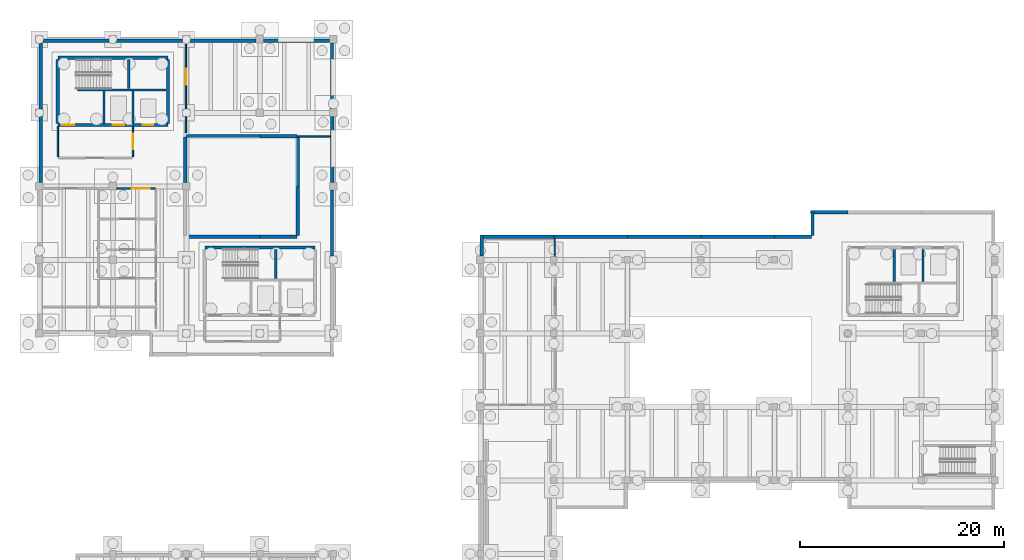
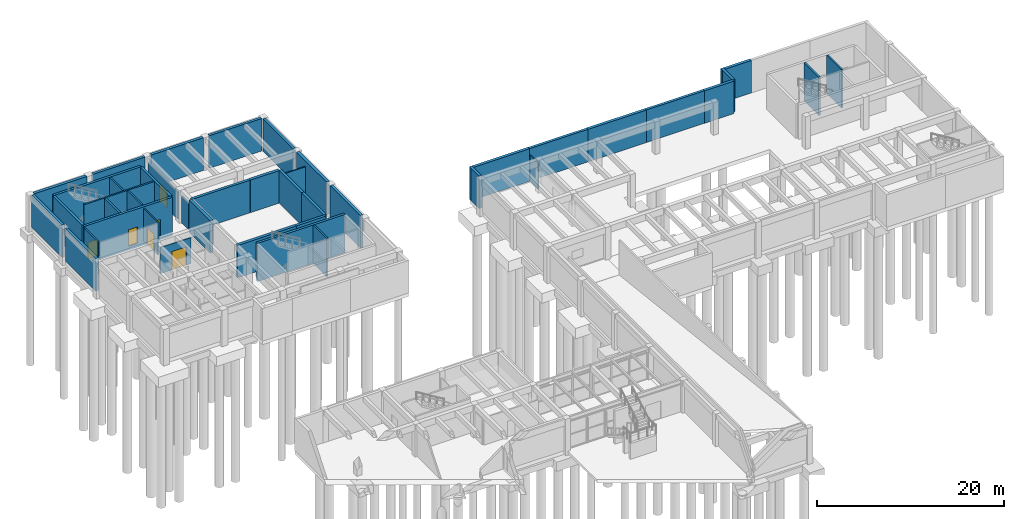
# One storey, part 20 of 28: 43 walls, 6 doors, 6 openings.
"""IFC4 building model written with IfcOpenShell, lengths in metres."""

from ifc_helpers import new_model, si_unit, direction, frame, frame_2d, origin, place, context, subcontext, project, spatial, rectangle, extrude, material, layer, layer_set, type_object, element, fill, save


model = new_model("IFC4")

# Units and contexts
model_context = context("Model", 3, precision=1e-05, world=origin(), true_north=direction((0.0, 1.0)))
body_context = subcontext(model_context, "Body", "Model", "MODEL_VIEW")
ifc_project = project(units=[si_unit("LENGTHUNIT", "METRE"), si_unit("AREAUNIT", "SQUARE_METRE"), si_unit("VOLUMEUNIT", "CUBIC_METRE"), si_unit("PLANEANGLEUNIT", "RADIAN"), si_unit("MASSUNIT", "GRAM", prefix="KILO")], contexts=[model_context])

# Site, building, storey
site_placement = place(None, origin())
site = spatial("IfcSite", under=ifc_project, at=site_placement, CompositionType="ELEMENT")
building_placement = place(site_placement, origin())
building = spatial("IfcBuilding", under=site, at=building_placement, Name="Bramvelor Terrace Health Centre", CompositionType="ELEMENT")
storey_placement = place(building_placement, frame((0.0, 0.0, -4.5)))
storey = spatial("IfcBuildingStorey", under=building, at=storey_placement, Name="B1", CompositionType="ELEMENT", Elevation=-4.5)

# Walls
ifc_material_1 = material(Name="Fire-rated gypsum and mineral wool", Category="gypsum")
ifc_layer_1 = layer(ifc_material_1, 0.139892578125)
ifc_layer_set_1 = layer_set([ifc_layer_1], Name="Fire-rated gypsum and mineral wool")
wall_type_1 = type_object("IfcWallType", Name="WL-COR-140", PredefinedType="PARTITIONING", material=ifc_layer_set_1)
wall_1_placement = place(storey_placement, frame((50.489990234375, 95.68994140625, 0.0), z_axis=(0.0, 0.0, 1.0), x_axis=(0.0, -1.0, 0.0)))
element("IfcWall", 1, at=wall_1_placement, inside=storey, type_object=wall_type_1, Name="B1 Interior Partition 42", PredefinedType="PARTITIONING", context=body_context, shape_type="SweptSolid", body=[
    extrude(rectangle(XDim=1.75, YDim=0.139892578125, at=frame_2d((0.875, 0.0))), origin(), (0.0, 0.0, 1.0), 3.39990234375),
])
ifc_material_2 = material(Name="Concrete C40/50", Category="concrete")
ifc_layer_2 = layer(ifc_material_2, 0.199951171875)
ifc_layer_set_2 = layer_set([ifc_layer_2], Name="Concrete C40/50")
wall_type_2 = type_object("IfcWallType", Name="WL-CORE-200", PredefinedType="SHEAR", material=ifc_layer_set_2)
wall_2_placement = place(storey_placement, frame((3.75, 110.25, -0.5), z_axis=(0.0, 0.0, 1.0), x_axis=(1.0, 0.0, 0.0)))
element("IfcWall", 2, at=wall_2_placement, inside=storey, type_object=wall_type_2, Name="C1 B1 Core Shear Wall", PredefinedType="SHEAR", context=body_context, shape_type="SweptSolid", body=[
    extrude(rectangle(XDim=8.669921875, YDim=0.199951171875, at=frame_2d((4.3349609375, 0.0))), origin(), (0.0, 0.0, 1.0), 5.0),
])
wall_3_placement = place(storey_placement, frame((8.7548828125, 110.3701171875, -0.5), z_axis=(0.0, 0.0, 1.0), x_axis=(0.0, 1.0, 0.0)))
element("IfcWall", 3, at=wall_3_placement, inside=storey, type_object=wall_type_2, Name="C1 B1 Core Shear Wall", PredefinedType="SHEAR", context=body_context, shape_type="SweptSolid", body=[
    extrude(rectangle(XDim=2.849853515625, YDim=0.199951171875, at=frame_2d((1.4248046875, 0.0))), origin(), (0.0, 0.0, 1.0), 5.0),
])
for number, where, z_axis, x_axis, name in (
    (4, (6.35009765625, 106.97998046875, -0.5), (0.0, 0.0, 1.0), (0.0, 1.0, 0.0), "C1 B1 Core Shear Wall"),
    (5, (9.14990234375, 106.97998046875, -0.5), (0.0, 0.0, 1.0), (0.0, 1.0, 0.0), "C1 B1 Lift Divider Wall"),
):
    element("IfcWall", number, at=place(storey_placement, frame(where, z_axis=z_axis, x_axis=x_axis)), inside=storey, type_object=wall_type_2, Name=name, PredefinedType="SHEAR", context=body_context, shape_type="SweptSolid", body=[
        extrude(rectangle(XDim=3.14990234375, YDim=0.199951171875, at=frame_2d((1.574951171875, 0.0))), origin(), (0.0, 0.0, 1.0), 5.0),
    ])
wall_4_placement = place(storey_placement, frame((23.155029296875, 91.77001953125, -0.5), z_axis=(0.0, 0.0, 1.0), x_axis=(0.0, 1.0, 0.0)))
element("IfcWall", 6, at=wall_4_placement, inside=storey, type_object=wall_type_2, Name="C2 B1 Core Shear Wall", PredefinedType="SHEAR", context=body_context, shape_type="SweptSolid", body=[
    extrude(rectangle(XDim=2.85009765625, YDim=0.199951171875, at=frame_2d((1.425048828125, 0.0))), origin(), (0.0, 0.0, 1.0), 5.0),
])
for number, where, z_axis, x_axis, name in (
    (7, (83.75, 91.469970703125, -0.5), (0.0, 0.0, 1.0), (0.0, 1.0, 0.0), "C4 B1 Core Shear Wall"),
    (8, (86.550048828125, 91.469970703125, -0.5), (0.0, 0.0, 1.0), (0.0, 1.0, 0.0), "C4 B1 Lift Divider Wall"),
):
    element("IfcWall", number, at=place(storey_placement, frame(where, z_axis=z_axis, x_axis=x_axis)), inside=storey, type_object=wall_type_2, Name=name, PredefinedType="SHEAR", context=body_context, shape_type="SweptSolid", body=[
        extrude(rectangle(XDim=3.150146484375, YDim=0.199951171875, at=frame_2d((1.5751953125, 0.0))), origin(), (0.0, 0.0, 1.0), 5.0),
    ])

# Wall, openings, doors
ifc_material_3 = material(Name="Concrete C40/50", Category="concrete")
ifc_layer_3 = layer(ifc_material_3, 0.300048828125)
ifc_layer_set_3 = layer_set([ifc_layer_3], Name="Concrete C40/50")
wall_type_3 = type_object("IfcWallType", Name="WL-CORE-300", PredefinedType="SHEAR", material=ifc_layer_set_3)
wall_5_placement = place(storey_placement, frame((1.800048828125, 106.800048828125, -0.5), z_axis=(0.0, 0.0, 1.0), x_axis=(1.0, 0.0, 0.0)))
wall_5 = element("IfcWall", 9, at=wall_5_placement, inside=storey, type_object=wall_type_3, Name="C1 B1 Core Shear Wall", PredefinedType="SHEAR", context=body_context, shape_type="SweptSolid", body=[
    extrude(rectangle(XDim=10.800048828125, YDim=0.300048828125, at=frame_2d((5.39990234375, 0.0))), origin(), (0.0, 0.0, 1.0), 5.0),
])
opening_1_placement = place(wall_5_placement, frame((0.449951171875, 0.0, 0.5)))
opening_1 = element("IfcOpeningElement", 10, at=opening_1_placement, cuts=wall_5, Name="Opening FD-02", PredefinedType="OPENING", context=body_context, shape_type="SweptSolid", body=[
    extrude(rectangle(XDim=1.179931640625, YDim=2.159912109375, at=frame_2d((0.58984375, 1.080078125))), frame((0.0, 0.159912109375, 0.0), z_axis=(0.0, -1.0, 0.0), x_axis=(1.0, 0.0, 0.0)), (0.0, 0.0, 1.0), 0.320068359375),
])
opening_2_placement = place(wall_5_placement, frame((5.375, 0.0, 0.5)))
opening_2 = element("IfcOpeningElement", 11, at=opening_2_placement, cuts=wall_5, Name="Opening LD-1", PredefinedType="OPENING", context=body_context, shape_type="SweptSolid", body=[
    extrude(rectangle(XDim=1.14990234375, YDim=2.14990234375, at=frame_2d((0.574951171875, 1.074951171875))), frame((0.0, 0.159912109375, 0.0), z_axis=(0.0, -1.0, 0.0), x_axis=(1.0, 0.0, 0.0)), (0.0, 0.0, 1.0), 0.320068359375),
])
opening_3_placement = place(wall_5_placement, frame((8.340087890625, 0.0, 0.5)))
opening_3 = element("IfcOpeningElement", 12, at=opening_3_placement, cuts=wall_5, Name="Opening LD-2", PredefinedType="OPENING", context=body_context, shape_type="SweptSolid", body=[
    extrude(rectangle(XDim=1.02001953125, YDim=2.1201171875, at=frame_2d((0.510009765625, 1.06005859375))), frame((0.0, 0.159912109375, 0.0), z_axis=(0.0, -1.0, 0.0), x_axis=(1.0, 0.0, 0.0)), (0.0, 0.0, 1.0), 0.320068359375),
])
ifc_material_4 = material(Name="Fire-rated steel and vision panel", Category="steel")
door_type_1 = type_object("IfcDoorType", Name="DR-FD90-118", OperationType="NOTDEFINED", PredefinedType="DOOR", material=ifc_material_4)
door_1_placement = place(opening_1_placement, origin())
door_1 = element("IfcDoor", 13, at=door_1_placement, inside=storey, type_object=door_type_1, Name="C1 B1 Core Stair Fire Door", OperationType="SINGLE_SWING_LEFT", OverallHeight=2.159912109375, OverallWidth=1.179931640625, PredefinedType="DOOR", context=body_context, shape_type="SweptSolid", body=[
    extrude(rectangle(XDim=1.179931640625, YDim=2.159912109375, at=frame_2d((0.58984375, 1.080078125))), frame((0.0, 0.02490234375, 0.0), z_axis=(0.0, -1.0, 0.0), x_axis=(1.0, 0.0, 0.0)), (0.0, 0.0, 1.0), 0.050048828125),
])
fill(opening_1, door_1)
ifc_material_5 = material(Name="Brushed stainless steel 316", Category="steel")
door_type_2 = type_object("IfcDoorType", Name="DR-LIFT-FF115", OperationType="DOUBLE_DOOR_SLIDING", PredefinedType="DOOR", material=ifc_material_5)
door_2_placement = place(opening_2_placement, origin())
door_2 = element("IfcDoor", 14, at=door_2_placement, inside=storey, type_object=door_type_2, Name="Lift LF-01 B1 Sliding Landing Door", OperationType="DOUBLE_DOOR_SLIDING", OverallHeight=2.14990234375, OverallWidth=1.14990234375, PredefinedType="DOOR", context=body_context, shape_type="SweptSolid", body=[
    extrude(rectangle(XDim=1.14990234375, YDim=2.14990234375, at=frame_2d((0.574951171875, 1.074951171875))), frame((0.0, 0.02490234375, 0.0), z_axis=(0.0, -1.0, 0.0), x_axis=(1.0, 0.0, 0.0)), (0.0, 0.0, 1.0), 0.050048828125),
])
fill(opening_2, door_2)
ifc_material_6 = material(Name="Brushed stainless steel 316", Category="steel")
door_type_3 = type_object("IfcDoorType", Name="DR-LIFT-PS102", OperationType="SLIDING_TO_LEFT", PredefinedType="DOOR", material=ifc_material_6)
door_3_placement = place(opening_3_placement, origin())
door_3 = element("IfcDoor", 15, at=door_3_placement, inside=storey, type_object=door_type_3, Name="Lift LP-01 B1 Sliding Landing Door", OperationType="SLIDING_TO_LEFT", OverallHeight=2.1201171875, OverallWidth=1.02001953125, PredefinedType="DOOR", context=body_context, shape_type="SweptSolid", body=[
    extrude(rectangle(XDim=1.02001953125, YDim=2.1201171875, at=frame_2d((0.510009765625, 1.06005859375))), frame((0.0, 0.02490234375, 0.0), z_axis=(0.0, -1.0, 0.0), x_axis=(1.0, 0.0, 0.0)), (0.0, 0.0, 1.0), 0.050048828125),
])
fill(opening_3, door_3)

# Walls
wall_6_placement = place(storey_placement, frame((1.800048828125, 113.39990234375, -0.5), z_axis=(0.0, 0.0, 1.0), x_axis=(1.0, 0.0, 0.0)))
element("IfcWall", 16, at=wall_6_placement, inside=storey, type_object=wall_type_3, Name="C1 B1 Core Shear Wall", PredefinedType="SHEAR", context=body_context, shape_type="SweptSolid", body=[
    extrude(rectangle(XDim=10.800048828125, YDim=0.300048828125, at=frame_2d((5.39990234375, 0.0))), origin(), (0.0, 0.0, 1.0), 5.0),
])
for number, where, z_axis, x_axis, name in (
    (17, (1.800048828125, 106.97998046875, -0.5), (0.0, 0.0, 1.0), (0.0, 1.0, 0.0), "C1 B1 Core Shear Wall"),
    (18, (12.60009765625, 106.97998046875, -0.5), (0.0, 0.0, 1.0), (0.0, 1.0, 0.0), "C1 B1 Core Shear Wall"),
):
    element("IfcWall", number, at=place(storey_placement, frame(where, z_axis=z_axis, x_axis=x_axis)), inside=storey, type_object=wall_type_3, Name=name, PredefinedType="SHEAR", context=body_context, shape_type="SweptSolid", body=[
        extrude(rectangle(XDim=6.239990234375, YDim=0.300048828125, at=frame_2d((3.1201171875, 0.0))), origin(), (0.0, 0.0, 1.0), 5.0),
    ])
wall_7_placement = place(storey_placement, frame((16.199951171875, 94.800048828125, -0.5), z_axis=(0.0, 0.0, 1.0), x_axis=(1.0, 0.0, 0.0)))
element("IfcWall", 19, at=wall_7_placement, inside=storey, type_object=wall_type_3, Name="C2 B1 Core Shear Wall", PredefinedType="SHEAR", context=body_context, shape_type="SweptSolid", body=[
    extrude(rectangle(XDim=10.800048828125, YDim=0.300048828125, at=frame_2d((5.39990234375, 0.0))), origin(), (0.0, 0.0, 1.0), 5.0),
])
ifc_material_7 = material(Name="Fire-rated gypsum and mineral wool", Category="gypsum")
ifc_layer_4 = layer(ifc_material_7, 0.14990234375)
ifc_layer_set_4 = layer_set([ifc_layer_4], Name="Fire-rated gypsum and mineral wool")
wall_type_4 = type_object("IfcWallType", Name="WL-FIR-150", PredefinedType="PARTITIONING", material=ifc_layer_set_4)
wall_8_placement = place(storey_placement, frame((1.800048828125, 103.68994140625, 0.0), z_axis=(0.0, 0.0, 1.0), x_axis=(0.0, 1.0, 0.0)))
element("IfcWall", 20, at=wall_8_placement, inside=storey, type_object=wall_type_4, Name="B1 Interior Partition 1", PredefinedType="PARTITIONING", context=body_context, shape_type="SweptSolid", body=[
    extrude(rectangle(XDim=3.01513671875, YDim=0.14990234375, at=frame_2d((1.507568359375, 0.0))), origin(), (0.0, 0.0, 1.0), 4.27001953125),
])

# Wall, opening, door
wall_9_placement = place(storey_placement, frame((9.14990234375, 106.705078125, 0.0), z_axis=(0.0, 0.0, 1.0), x_axis=(0.0, -1.0, 0.0)))
wall_9 = element("IfcWall", 21, at=wall_9_placement, inside=storey, type_object=wall_type_4, Name="B1 Interior Partition 2", PredefinedType="PARTITIONING", context=body_context, shape_type="SweptSolid", body=[
    extrude(rectangle(XDim=3.01513671875, YDim=0.14990234375, at=frame_2d((1.507568359375, 0.0))), origin(), (0.0, 0.0, 1.0), 4.27001953125),
])
opening_4_placement = place(wall_9_placement, frame((0.7275390625, 0.0, 0.0)))
opening_4 = element("IfcOpeningElement", 22, at=opening_4_placement, cuts=wall_9, Name="Opening FD-03", PredefinedType="OPENING", context=body_context, shape_type="SweptSolid", body=[
    extrude(rectangle(XDim=1.56005859375, YDim=2.219970703125, at=frame_2d((0.780029296875, 1.10986328125))), frame((0.0, 0.0849609375, 0.0), z_axis=(0.0, -1.0, 0.0), x_axis=(1.0, 0.0, 0.0)), (0.0, 0.0, 1.0), 0.169921875),
])
ifc_material_8 = material(Name="Fire-rated steel and vision panel", Category="steel")
door_type_4 = type_object("IfcDoorType", Name="DR-FD90-156", OperationType="DOUBLE_DOOR_SINGLE_SWING", PredefinedType="DOOR", material=ifc_material_8)
door_4_placement = place(opening_4_placement, origin())
door_4 = element("IfcDoor", 23, at=door_4_placement, inside=storey, type_object=door_type_4, Name="B1 Fire Compartment Lobby Door 1", OperationType="DOUBLE_DOOR_SINGLE_SWING", OverallHeight=2.219970703125, OverallWidth=1.56005859375, PredefinedType="DOOR", context=body_context, shape_type="SweptSolid", body=[
    extrude(rectangle(XDim=1.56005859375, YDim=2.219970703125, at=frame_2d((0.780029296875, 1.10986328125))), frame((0.0, 0.02490234375, 0.0), z_axis=(0.0, -1.0, 0.0), x_axis=(1.0, 0.0, 0.0)), (0.0, 0.0, 1.0), 0.050048828125),
])
fill(opening_4, door_4)

# Walls
wall_10_placement = place(storey_placement, frame((28.485107421875, 105.699951171875, 0.0), z_axis=(0.0, 0.0, 1.0), x_axis=(-1.0, 0.0, 0.0)))
element("IfcWall", 24, at=wall_10_placement, inside=storey, type_object=wall_type_4, Name="B1 Interior Partition 24", PredefinedType="PARTITIONING", context=body_context, shape_type="SweptSolid", body=[
    extrude(rectangle(XDim=3.2294921875, YDim=0.14990234375, at=frame_2d((1.61474609375, 0.0))), origin(), (0.0, 0.0, 1.0), 3.550048828125),
])
wall_11_placement = place(storey_placement, frame((14.35205078125, 106.04638671875, 0.0), z_axis=(0.0, 0.0, 1.0), x_axis=(-0.000312256035, 0.999999951248, 0.0)))
element("IfcWall", 25, at=wall_11_placement, inside=storey, type_object=wall_type_4, Name="B1 Interior Partition 25", PredefinedType="PARTITIONING", context=body_context, shape_type="SweptSolid", body=[
    extrude(rectangle(XDim=1.563720703125, YDim=0.14990234375, at=frame_2d((0.78173828125, 0.0))), origin(), (0.0, 0.0, 1.0), 3.550048828125),
])

# Wall, opening, door
wall_12_placement = place(storey_placement, frame((14.351318359375, 108.389892578125, 0.0), z_axis=(0.0, 0.0, 1.0), x_axis=(-0.000193147136, 0.999999981347, 0.0)))
wall_12 = element("IfcWall", 26, at=wall_12_placement, inside=storey, type_object=wall_type_4, Name="B1 Interior Partition 26", PredefinedType="PARTITIONING", context=body_context, shape_type="SweptSolid", body=[
    extrude(rectangle(XDim=6.320068359375, YDim=0.14990234375, at=frame_2d((3.16015625, 0.0))), origin(), (0.0, 0.0, 1.0), 3.550048828125),
])
opening_5_placement = place(wall_12_placement, frame((2.3798828125, 0.0, 0.0)))
opening_5 = element("IfcOpeningElement", 27, at=opening_5_placement, cuts=wall_12, Name="Opening FD-03", PredefinedType="OPENING", context=body_context, shape_type="SweptSolid", body=[
    extrude(rectangle(XDim=1.56005859375, YDim=2.219970703125, at=frame_2d((0.780029296875, 1.10986328125))), frame((0.0, 0.0849609375, 0.0), z_axis=(0.0, -1.0, 0.0), x_axis=(1.0, 0.0, 0.0)), (0.0, 0.0, 1.0), 0.169921875),
])
door_5_placement = place(opening_5_placement, origin())
door_5 = element("IfcDoor", 28, at=door_5_placement, inside=storey, type_object=door_type_4, Name="B1 Main Low-Voltage Switchroom Fire Door", OperationType="DOUBLE_DOOR_SINGLE_SWING", OverallHeight=2.219970703125, OverallWidth=1.56005859375, PredefinedType="DOOR", context=body_context, shape_type="SweptSolid", body=[
    extrude(rectangle(XDim=1.56005859375, YDim=2.219970703125, at=frame_2d((0.780029296875, 1.10986328125))), frame((0.0, 0.02490234375, 0.0), z_axis=(0.0, -1.0, 0.0), x_axis=(1.0, 0.0, 0.0)), (0.0, 0.0, 1.0), 0.050048828125),
])
fill(opening_5, door_5)

ifc_material_9 = material(Name="Moisture-resistant service chase board", Category="gypsum")
ifc_layer_5 = layer(ifc_material_9, 0.159912109375)
ifc_layer_set_5 = layer_set([ifc_layer_5], Name="Moisture-resistant service chase board")
wall_type_5 = type_object("IfcWallType", Name="WL-PLM-160", PredefinedType="PLUMBINGWALL", material=ifc_layer_set_5)
wall_13_placement = place(storey_placement, frame((7.590087890625, 100.597900390625, 0.0), z_axis=(0.0, 0.0, 1.0), x_axis=(1.0, 0.0, 0.0)))
wall_13 = element("IfcWall", 29, at=wall_13_placement, inside=storey, type_object=wall_type_5, Name="B1 Interior Partition 8", PredefinedType="PLUMBINGWALL", context=body_context, shape_type="SweptSolid", body=[
    extrude(rectangle(XDim=3.760009765625, YDim=0.159912109375, at=frame_2d((1.8798828125, 0.0))), origin(), (0.0, 0.0, 1.0), 3.39990234375),
])
opening_6_placement = place(wall_13_placement, frame((1.449951171875, 0.0, 0.0)))
opening_6 = element("IfcOpeningElement", 30, at=opening_6_placement, cuts=wall_13, Name="Opening ID-OR1", PredefinedType="OPENING", context=body_context, shape_type="SweptSolid", body=[
    extrude(rectangle(XDim=1.760009765625, YDim=2.3798828125, at=frame_2d((0.8798828125, 1.18994140625))), frame((0.0, 0.08984375, 0.0), z_axis=(0.0, -1.0, 0.0), x_axis=(1.0, 0.0, 0.0)), (0.0, 0.0, 1.0), 0.179931640625),
])
ifc_material_10 = material(Name="Solid-core acoustic timber laminate", Category="wood")
door_type_5 = type_object("IfcDoorType", Name="DR-OR-SLD176", OperationType="DOUBLE_DOOR_SLIDING", PredefinedType="DOOR", material=ifc_material_10)
door_6_placement = place(opening_6_placement, origin())
door_6 = element("IfcDoor", 31, at=door_6_placement, inside=storey, type_object=door_type_5, Name="B1 Accessible Male WC Clinical Door", OperationType="DOUBLE_DOOR_SLIDING", OverallHeight=2.3798828125, OverallWidth=1.760009765625, PredefinedType="DOOR", context=body_context, shape_type="SweptSolid", body=[
    extrude(rectangle(XDim=1.760009765625, YDim=2.3798828125, at=frame_2d((0.8798828125, 1.18994140625))), frame((0.0, 0.02490234375, 0.0), z_axis=(0.0, -1.0, 0.0), x_axis=(1.0, 0.0, 0.0)), (0.0, 0.0, 1.0), 0.050048828125),
])
fill(opening_6, door_6)

# Walls
ifc_material_11 = material(Name="Concrete C40/50", Category="concrete")
ifc_layer_6 = layer(ifc_material_11, 0.320068359375)
ifc_layer_set_6 = layer_set([ifc_layer_6], Name="Concrete C40/50")
wall_type_6 = type_object("IfcWallType", Name="WL-RET-320", PredefinedType="SOLIDWALL", material=ifc_layer_set_6)
wall_14_placement = place(storey_placement, frame((43.330078125, 93.969970703125, 0.0), z_axis=(0.0, 0.0, 1.0), x_axis=(0.0, 1.0, 0.0)))
element("IfcWall", 32, at=wall_14_placement, inside=storey, type_object=wall_type_6, Name="B1 Perimeter Basement Retaining Wall 13", PredefinedType="SOLIDWALL", context=body_context, shape_type="SweptSolid", body=[
    extrude(rectangle(XDim=2.050048828125, YDim=0.320068359375, at=frame_2d((1.02490234375, 0.0))), origin(), (0.0, 0.0, 1.0), 4.25),
])
wall_15_placement = place(storey_placement, frame((50.39990234375, 95.8701171875, 0.0), z_axis=(0.0, 0.0, 1.0), x_axis=(1.0, 0.0, 0.0)))
element("IfcWall", 33, at=wall_15_placement, inside=storey, type_object=wall_type_6, Name="B1 Perimeter Basement Retaining Wall 15", PredefinedType="SOLIDWALL", context=body_context, shape_type="SweptSolid", body=[
    extrude(rectangle(XDim=7.2001953125, YDim=0.320068359375, at=frame_2d((3.60009765625, 0.0))), origin(), (0.0, 0.0, 1.0), 4.25),
])
wall_16_placement = place(storey_placement, frame((64.800048828125, 95.8701171875, 0.0), z_axis=(0.0, 0.0, 1.0), x_axis=(1.0, 0.0, 0.0)))
element("IfcWall", 34, at=wall_16_placement, inside=storey, type_object=wall_type_6, Name="B1 Perimeter Basement Retaining Wall 17", PredefinedType="SOLIDWALL", context=body_context, shape_type="SweptSolid", body=[
    extrude(rectangle(XDim=7.199951171875, YDim=0.320068359375, at=frame_2d((3.60009765625, 0.0))), origin(), (0.0, 0.0, 1.0), 4.25),
])
wall_17_placement = place(storey_placement, frame((75.72998046875, 95.97998046875, 0.0), z_axis=(0.0, 0.0, 1.0), x_axis=(0.0, 1.0, 0.0)))
element("IfcWall", 35, at=wall_17_placement, inside=storey, type_object=wall_type_6, Name="B1 Perimeter Basement Retaining Wall 19", PredefinedType="SOLIDWALL", context=body_context, shape_type="SweptSolid", body=[
    extrude(rectangle(XDim=2.43994140625, YDim=0.320068359375, at=frame_2d((1.219970703125, 0.0))), origin(), (0.0, 0.0, 1.0), 4.25),
])
for number, where, z_axis, x_axis, name in (
    (36, (28.669921875, 114.830078125, 0.0), (0.0, 0.0, 1.0), (0.0, -1.0, 0.0), "B1 Perimeter Basement Retaining Wall 53"),
    (37, (28.669921875, 100.429931640625, 0.0), (0.0, 0.0, 1.0), (0.0, -1.0, 0.0), "B1 Perimeter Basement Retaining Wall 55"),
    (38, (0.1298828125, 108.3701171875, 0.0), (0.0, 0.0, 1.0), (0.0, 1.0, 0.0), "B1 Perimeter Basement Retaining Wall 67"),
    (39, (7.570068359375, 115.070068359375, 0.0), (0.0, 0.0, 1.0), (1.0, 0.0, 0.0), "B1 Perimeter Basement Retaining Wall 69"),
    (40, (21.969970703125, 115.070068359375, 0.0), (0.0, 0.0, 1.0), (1.0, 0.0, 0.0), "B1 Perimeter Basement Retaining Wall 71"),
):
    element("IfcWall", number, at=place(storey_placement, frame(where, z_axis=z_axis, x_axis=x_axis)), inside=storey, type_object=wall_type_6, Name=name, PredefinedType="SOLIDWALL", context=body_context, shape_type="SweptSolid", body=[
        extrude(rectangle(XDim=6.4599609375, YDim=0.320068359375, at=frame_2d((3.22998046875, 0.0))), origin(), (0.0, 0.0, 1.0), 4.25),
    ])
wall_18_placement = place(storey_placement, frame((21.60009765625, 105.72998046875, 0.0), z_axis=(0.0, 0.0, 1.0), x_axis=(-1.0, 0.0, 0.0)))
element("IfcWall", 41, at=wall_18_placement, inside=storey, type_object=wall_type_6, Name="B1 Perimeter Basement Retaining Wall 73", PredefinedType="SOLIDWALL", context=body_context, shape_type="SweptSolid", body=[
    extrude(rectangle(XDim=7.239990234375, YDim=0.320068359375, at=frame_2d((3.6201171875, 0.0))), origin(), (0.0, 0.0, 1.0), 4.25),
])
wall_19_placement = place(storey_placement, frame((21.60009765625, 95.8701171875, 0.0), z_axis=(0.0, 0.0, 1.0), x_axis=(1.0, 0.0, 0.0)))
element("IfcWall", 42, at=wall_19_placement, inside=storey, type_object=wall_type_6, Name="B1 Perimeter Basement Retaining Wall 77", PredefinedType="SOLIDWALL", context=body_context, shape_type="SweptSolid", body=[
    extrude(rectangle(XDim=3.639892578125, YDim=0.320068359375, at=frame_2d((1.81982421875, 0.0))), origin(), (0.0, 0.0, 1.0), 4.25),
])
wall_20_placement = place(storey_placement, frame((25.330078125, 100.800048828125, 0.0), z_axis=(0.0, 0.0, 1.0), x_axis=(0.0, 1.0, 0.0)))
element("IfcWall", 43, at=wall_20_placement, inside=storey, type_object=wall_type_6, Name="B1 Perimeter Basement Retaining Wall 79", PredefinedType="SOLIDWALL", context=body_context, shape_type="SweptSolid", body=[
    extrude(rectangle(XDim=4.820068359375, YDim=0.320068359375, at=frame_2d((2.41015625, 0.0))), origin(), (0.0, 0.0, 1.0), 4.25),
])
ifc_material_12 = material(Name="Concrete C40/50", Category="concrete")
ifc_layer_7 = layer(ifc_material_12, 0.35009765625)
ifc_layer_set_7 = layer_set([ifc_layer_7], Name="Concrete C40/50")
wall_type_7 = type_object("IfcWallType", Name="WL-RET-350", PredefinedType="SOLIDWALL", material=ifc_layer_set_7)
wall_21_placement = place(storey_placement, frame((43.159912109375, 95.8701171875, 0.0), z_axis=(0.0, 0.0, 1.0), x_axis=(1.0, 0.0, 0.0)))
element("IfcWall", 44, at=wall_21_placement, inside=storey, type_object=wall_type_7, Name="B1 Perimeter Basement Retaining Wall 14", PredefinedType="SOLIDWALL", context=body_context, shape_type="SweptSolid", body=[
    extrude(rectangle(XDim=7.239990234375, YDim=0.35009765625, at=frame_2d((3.6201171875, 0.0))), origin(), (0.0, 0.0, 1.0), 4.25),
])
wall_22_placement = place(storey_placement, frame((57.60009765625, 95.8701171875, 0.0), z_axis=(0.0, 0.0, 1.0), x_axis=(1.0, 0.0, 0.0)))
element("IfcWall", 45, at=wall_22_placement, inside=storey, type_object=wall_type_7, Name="B1 Perimeter Basement Retaining Wall 16", PredefinedType="SOLIDWALL", context=body_context, shape_type="SweptSolid", body=[
    extrude(rectangle(XDim=7.199951171875, YDim=0.35009765625, at=frame_2d((3.60009765625, 0.0))), origin(), (0.0, 0.0, 1.0), 4.25),
])
for number, where, z_axis, x_axis, name in (
    (46, (72.0, 95.8701171875, 0.0), (0.0, 0.0, 1.0), (1.0, 0.0, 0.0), "B1 Perimeter Basement Retaining Wall 18"),
    (47, (75.56005859375, 98.27001953125, 0.0), (0.0, 0.0, 1.0), (1.0, 0.0, 0.0), "B1 Perimeter Basement Retaining Wall 20"),
):
    element("IfcWall", number, at=place(storey_placement, frame(where, z_axis=z_axis, x_axis=x_axis)), inside=storey, type_object=wall_type_7, Name=name, PredefinedType="SOLIDWALL", context=body_context, shape_type="SweptSolid", body=[
        extrude(rectangle(XDim=3.639892578125, YDim=0.35009765625, at=frame_2d((1.81982421875, 0.0))), origin(), (0.0, 0.0, 1.0), 4.25),
    ])
for number, where, z_axis, x_axis, name in (
    (48, (28.669921875, 107.6298828125, 0.0), (0.0, 0.0, 1.0), (0.0, -1.0, 0.0), "B1 Perimeter Basement Retaining Wall 54"),
    (49, (0.1298828125, 101.169921875, 0.0), (0.0, 0.0, 1.0), (0.0, 1.0, 0.0), "B1 Perimeter Basement Retaining Wall 66"),
    (50, (0.3701171875, 115.070068359375, 0.0), (0.0, 0.0, 1.0), (1.0, 0.0, 0.0), "B1 Perimeter Basement Retaining Wall 68"),
    (51, (14.77001953125, 115.070068359375, 0.0), (0.0, 0.0, 1.0), (1.0, 0.0, 0.0), "B1 Perimeter Basement Retaining Wall 70"),
):
    element("IfcWall", number, at=place(storey_placement, frame(where, z_axis=z_axis, x_axis=x_axis)), inside=storey, type_object=wall_type_7, Name=name, PredefinedType="SOLIDWALL", context=body_context, shape_type="SweptSolid", body=[
        extrude(rectangle(XDim=6.4599609375, YDim=0.35009765625, at=frame_2d((3.22998046875, 0.0))), origin(), (0.0, 0.0, 1.0), 4.25),
    ])
wall_23_placement = place(storey_placement, frame((25.239990234375, 105.72998046875, 0.0), z_axis=(0.0, 0.0, 1.0), x_axis=(-1.0, 0.0, 0.0)))
element("IfcWall", 52, at=wall_23_placement, inside=storey, type_object=wall_type_7, Name="B1 Perimeter Basement Retaining Wall 72", PredefinedType="SOLIDWALL", context=body_context, shape_type="SweptSolid", body=[
    extrude(rectangle(XDim=3.639892578125, YDim=0.35009765625, at=frame_2d((1.81982421875, 0.0))), origin(), (0.0, 0.0, 1.0), 4.25),
])
wall_24_placement = place(storey_placement, frame((14.27001953125, 105.6201171875, 0.0), z_axis=(0.0, 0.0, 1.0), x_axis=(0.0, -1.0, 0.0)))
element("IfcWall", 53, at=wall_24_placement, inside=storey, type_object=wall_type_7, Name="B1 Perimeter Basement Retaining Wall 74", PredefinedType="SOLIDWALL", context=body_context, shape_type="SweptSolid", body=[
    extrude(rectangle(XDim=4.4501953125, YDim=0.35009765625, at=frame_2d((2.22509765625, 0.0))), origin(), (0.0, 0.0, 1.0), 4.25),
])
wall_25_placement = place(storey_placement, frame((14.360107421875, 95.8701171875, 0.0), z_axis=(0.0, 0.0, 1.0), x_axis=(1.0, 0.0, 0.0)))
element("IfcWall", 54, at=wall_25_placement, inside=storey, type_object=wall_type_7, Name="B1 Perimeter Basement Retaining Wall 76", PredefinedType="SOLIDWALL", context=body_context, shape_type="SweptSolid", body=[
    extrude(rectangle(XDim=7.239990234375, YDim=0.35009765625, at=frame_2d((3.6201171875, 0.0))), origin(), (0.0, 0.0, 1.0), 4.25),
])
wall_26_placement = place(storey_placement, frame((25.330078125, 95.97998046875, 0.0), z_axis=(0.0, 0.0, 1.0), x_axis=(0.0, 1.0, 0.0)))
element("IfcWall", 55, at=wall_26_placement, inside=storey, type_object=wall_type_7, Name="B1 Perimeter Basement Retaining Wall 78", PredefinedType="SOLIDWALL", context=body_context, shape_type="SweptSolid", body=[
    extrude(rectangle(XDim=4.820068359375, YDim=0.35009765625, at=frame_2d((2.41015625, 0.0))), origin(), (0.0, 0.0, 1.0), 4.25),
])

save(model, "model.ifc")
